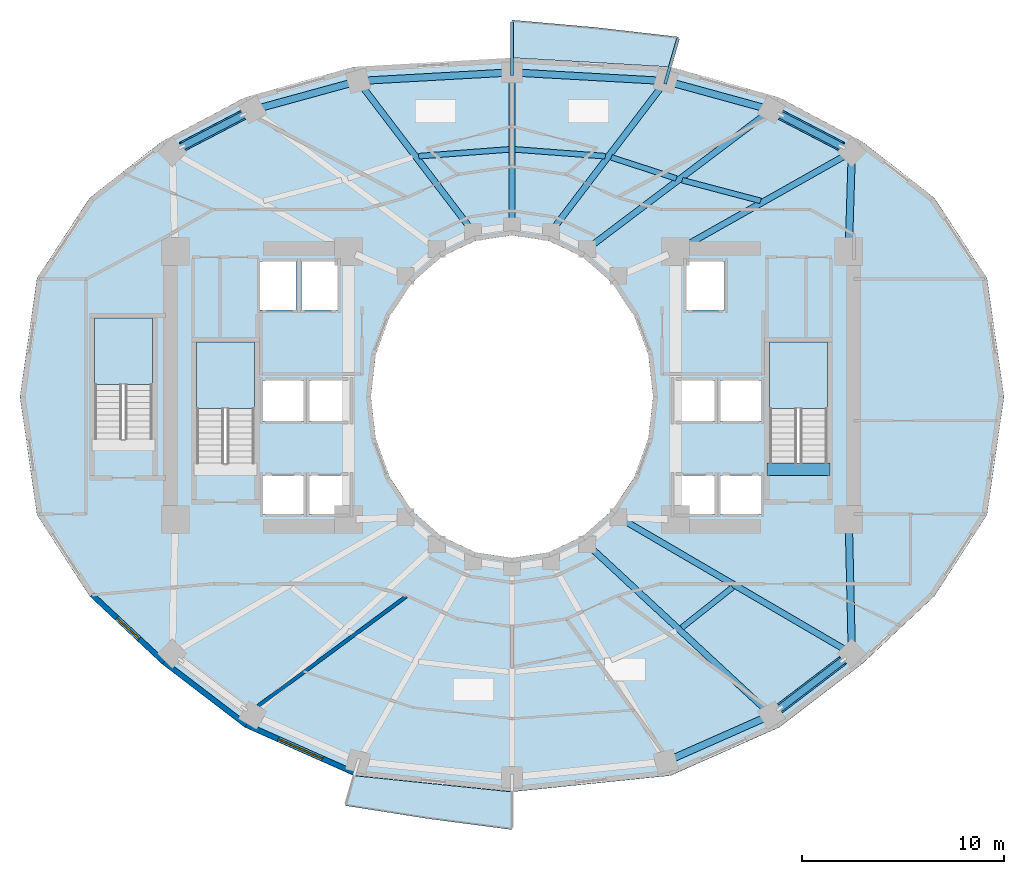
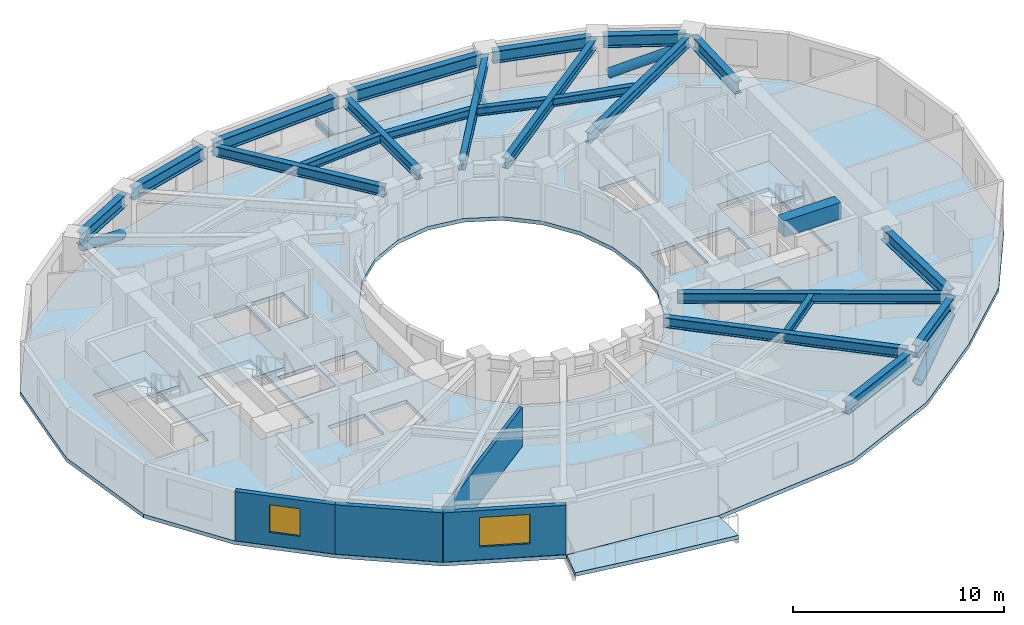
# One storey, part 2 of 9: 25 beams, 6 slabs, 4 walls, 3 members, 2 windows, 2 openings, 3 elements without a shape of their own.
"""IFC4 building model written with IfcOpenShell, lengths in metres."""

from ifc_helpers import new_model, si_unit, direction, frame, frame_2d, origin, origin_2d, place, context, subcontext, project, spatial, polyline, rectangle, hollow_rectangle, hollow_circle, i_section, outline, extrude, material, layer, layer_set, material_profile, profile_set, type_object, element, fill, aggregate, save


model = new_model("IFC4")

# Units and contexts
model_context = context("Model", 3, precision=1e-05, world=origin(), true_north=direction((0.0, 1.0)))
body_context = subcontext(model_context, "Body", "Model", "MODEL_VIEW")
ifc_project = project(units=[si_unit("LENGTHUNIT", "METRE"), si_unit("AREAUNIT", "SQUARE_METRE"), si_unit("VOLUMEUNIT", "CUBIC_METRE"), si_unit("PLANEANGLEUNIT", "RADIAN"), si_unit("MASSUNIT", "GRAM", prefix="KILO")], contexts=[model_context])

# Site, building, storey
site_placement = place(None, origin())
site = spatial("IfcSite", under=ifc_project, at=site_placement, CompositionType="ELEMENT")
building_placement = place(site_placement, origin())
building = spatial("IfcBuilding", under=site, at=building_placement, Name="Solvane Sanctuary Tower", CompositionType="ELEMENT")
storey_placement = place(building_placement, frame((0.0, 0.0, 98.0)))
storey = spatial("IfcBuildingStorey", under=building, at=storey_placement, Name="L29", CompositionType="ELEMENT", Elevation=98.0)

# Beams
ifc_material_1 = material(Name="Steel ASTM A500 Grade C", Category="steel")
ifc_material_profile_1 = material_profile(ifc_material_1, hollow_rectangle(XDim=0.14990234375, YDim=0.300048828125, WallThickness=0.010009765625, at=origin_2d()), Name="HSS300X150X10")
ifc_profile_set_1 = profile_set([ifc_material_profile_1], Name="Steel ASTM A500 Grade C")
beam_type_1 = type_object("IfcBeamType", Name="Beam B-BALC-BRK HSS300X150X10", PredefinedType="BEAM", material=ifc_profile_set_1)
beam_1_placement = place(storey_placement, frame((39.587890625, 38.508056640625, -0.3720703125), z_axis=(0.277479359198, 0.960731598949, 0.0), x_axis=(-0.960731598949, 0.277479359198, 0.0)))
element("IfcBeam", 1, at=beam_1_placement, inside=storey, type_object=beam_type_1, Name="L29 Balcony Bracket NC-1", PredefinedType="BEAM", context=body_context, shape_type="SweptSolid", body=[
    extrude(hollow_rectangle(XDim=0.14990234375, YDim=0.300048828125, WallThickness=0.010009765625, at=origin_2d()), origin(), (0.0, 0.0, 1.0), 2.325439453125),
])
beam_2_placement = place(storey_placement, frame((32.0, 38.929931640625, -0.3720703125), z_axis=(0.0, 1.0, 0.0), x_axis=(-1.0, 0.0, 0.0)))
element("IfcBeam", 2, at=beam_2_placement, inside=storey, type_object=beam_type_1, Name="L29 Balcony Bracket NC-2", PredefinedType="BEAM", context=body_context, shape_type="SweptSolid", body=[
    extrude(hollow_rectangle(XDim=0.14990234375, YDim=0.300048828125, WallThickness=0.010009765625, at=origin_2d()), origin(), (0.0, 0.0, 1.0), 2.64794921875),
])
ifc_material_2 = material(Name="Concrete C70/85", Category="concrete")
ifc_material_profile_2 = material_profile(ifc_material_2, rectangle(XDim=0.60009765625, YDim=0.949951171875, at=origin_2d()), Name="RC600X950")
ifc_profile_set_2 = profile_set([ifc_material_profile_2], Name="Concrete C70/85")
beam_type_2 = type_object("IfcBeamType", Name="Beam B-COUPLE RC600X950", PredefinedType="LINTEL", material=ifc_profile_set_2)
beam_3_placement = place(storey_placement, frame((44.64990234375, 19.399169921875, 2.625), z_axis=(1.0, 0.0, 0.0), x_axis=(0.0, 1.0, 0.0)))
element("IfcBeam", 3, at=beam_3_placement, inside=storey, type_object=beam_type_2, Name="L29 ST-2 Stair Floor Landing Trimmer", PredefinedType="LINTEL", context=body_context, shape_type="SweptSolid", body=[
    extrude(rectangle(XDim=0.60009765625, YDim=0.949951171875, at=origin_2d()), origin(), (0.0, 0.0, 1.0), 3.1201171875),
])
ifc_material_3 = material(Name="Steel ASTM A992 Grade 50", Category="steel")
ifc_material_profile_3 = material_profile(ifc_material_3, i_section(OverallWidth=0.31494140625, OverallDepth=0.575927734375, WebThickness=0.01513671875, FlangeThickness=0.0244140625, FilletRadius=0.014892578125, at=origin_2d()), Name="W21X122")
ifc_profile_set_3 = profile_set([ifc_material_profile_3], Name="Steel ASTM A992 Grade 50")
beam_type_3 = type_object("IfcBeamType", Name="Beam B-RAD-Z2 W21X122", PredefinedType="BEAM", material=ifc_profile_set_3)
beam_4_placement = place(storey_placement, frame((40.41357421875, 30.376953125, 2.590087890625), z_axis=(0.870960247151, 0.491353485673, 0.0), x_axis=(-0.491353485673, 0.870960247151, 0.0)))
element("IfcBeam", 4, at=beam_4_placement, inside=storey, type_object=beam_type_3, Name="L29 Radial Composite Floor Beam 01", PredefinedType="BEAM", context=body_context, shape_type="SweptSolid", body=[
    extrude(i_section(OverallWidth=0.31494140625, OverallDepth=0.575927734375, WebThickness=0.01513671875, FlangeThickness=0.0244140625, FilletRadius=0.014892578125, at=origin_2d()), origin(), (0.0, 0.0, 1.0), 9.409912109375),
])
beam_5_placement = place(storey_placement, frame((35.95361328125, 30.495361328125, 2.590087890625), z_axis=(0.798116040134, 0.602503764703, 0.0), x_axis=(-0.602503764703, 0.798116040134, 0.0)))
element("IfcBeam", 5, at=beam_5_placement, inside=storey, type_object=beam_type_3, Name="L29 Radial Composite Floor Beam 02", PredefinedType="BEAM", context=body_context, shape_type="SweptSolid", body=[
    extrude(i_section(OverallWidth=0.31494140625, OverallDepth=0.575927734375, WebThickness=0.01513671875, FlangeThickness=0.0244140625, FilletRadius=0.014892578125, at=origin_2d()), origin(), (0.0, 0.0, 1.0), 10.876953125),
])
beam_6_placement = place(storey_placement, frame((34.1005859375, 31.394287109375, 2.590087890625), z_axis=(0.605972515369, 0.795485581653, 0.0), x_axis=(-0.795485581653, 0.605972515369, 0.0)))
element("IfcBeam", 6, at=beam_6_placement, inside=storey, type_object=beam_type_3, Name="L29 Radial Composite Floor Beam 03", PredefinedType="BEAM", context=body_context, shape_type="SweptSolid", body=[
    extrude(i_section(OverallWidth=0.31494140625, OverallDepth=0.575927734375, WebThickness=0.01513671875, FlangeThickness=0.0244140625, FilletRadius=0.014892578125, at=origin_2d()), origin(), (0.0, 0.0, 1.0), 8.84375),
])
beam_7_placement = place(storey_placement, frame((32.0, 31.739990234375, 2.590087890625), z_axis=(0.0, 1.0, 0.0), x_axis=(-1.0, 0.0, 0.0)))
element("IfcBeam", 7, at=beam_7_placement, inside=storey, type_object=beam_type_3, Name="L29 Radial Composite Floor Beam 04", PredefinedType="BEAM", context=body_context, shape_type="SweptSolid", body=[
    extrude(i_section(OverallWidth=0.31494140625, OverallDepth=0.575927734375, WebThickness=0.01513671875, FlangeThickness=0.0244140625, FilletRadius=0.014892578125, at=origin_2d()), origin(), (0.0, 0.0, 1.0), 7.06005859375),
])
beam_8_placement = place(storey_placement, frame((29.8994140625, 31.394287109375, 2.590087890625), z_axis=(-0.605972515369, 0.795485581653, 0.0), x_axis=(-0.795485581653, -0.605972515369, 0.0)))
element("IfcBeam", 8, at=beam_8_placement, inside=storey, type_object=beam_type_3, Name="L29 Radial Composite Floor Beam 05", PredefinedType="BEAM", context=body_context, shape_type="SweptSolid", body=[
    extrude(i_section(OverallWidth=0.31494140625, OverallDepth=0.575927734375, WebThickness=0.01513671875, FlangeThickness=0.0244140625, FilletRadius=0.014892578125, at=origin_2d()), origin(), (0.0, 0.0, 1.0), 8.84375),
])
beam_9_placement = place(storey_placement, frame((35.935302734375, 15.483154296875, 2.590087890625), z_axis=(0.733453775248, -0.679739332078, 0.0), x_axis=(0.679739332078, 0.733453775248, 0.0)))
element("IfcBeam", 9, at=beam_9_placement, inside=storey, type_object=beam_type_3, Name="L29 Radial Composite Floor Beam 13", PredefinedType="BEAM", context=body_context, shape_type="SweptSolid", body=[
    extrude(i_section(OverallWidth=0.31494140625, OverallDepth=0.575927734375, WebThickness=0.01513671875, FlangeThickness=0.0244140625, FilletRadius=0.014892578125, at=origin_2d()), origin(), (0.0, 0.0, 1.0), 11.885498046875),
])
beam_10_placement = place(storey_placement, frame((37.516845703125, 16.876708984375, 2.590087890625), z_axis=(0.863554121542, -0.504256164234, 0.0), x_axis=(0.504256164234, 0.863554121542, 0.0)))
element("IfcBeam", 10, at=beam_10_placement, inside=storey, type_object=beam_type_3, Name="L29 Radial Composite Floor Beam 14", PredefinedType="BEAM", context=body_context, shape_type="SweptSolid", body=[
    extrude(i_section(OverallWidth=0.31494140625, OverallDepth=0.575927734375, WebThickness=0.01513671875, FlangeThickness=0.0244140625, FilletRadius=0.014892578125, at=origin_2d()), origin(), (0.0, 0.0, 1.0), 12.84716796875),
])
ifc_material_profile_4 = material_profile(ifc_material_3, i_section(OverallWidth=0.280029296875, OverallDepth=0.462890625, WebThickness=0.0107421875, FlangeThickness=0.017333984375, FilletRadius=0.013916015625, at=origin_2d()), Name="W18X76")
ifc_profile_set_4 = profile_set([ifc_material_profile_4], Name="Steel ASTM A992 Grade 50")
beam_type_4 = type_object("IfcBeamType", Name="Beam B-SEC-JOIST W18X76", PredefinedType="JOIST", material=ifc_profile_set_4)
for number, where, z_axis, x_axis, name in (
    (11, (27.3720703125, 34.92333984375, 2.646484375), (0.997207316227, 0.074683120339, 0.0), (-0.074683120339, 0.997207316227, 0.0), "L29 Secondary Circumferential Joist 05-04"),
    (12, (32.152099609375, 35.258544921875, 2.646484375), (0.997207316227, -0.074683120339, 0.0), (0.074683120339, 0.997207316227, 0.0), "L29 Secondary Circumferential Joist 04-03"),
):
    element("IfcBeam", number, at=place(storey_placement, frame(where, z_axis=z_axis, x_axis=x_axis)), inside=storey, type_object=beam_type_4, Name=name, PredefinedType="JOIST", context=body_context, shape_type="SweptSolid", body=[
        extrude(i_section(OverallWidth=0.280029296875, OverallDepth=0.462890625, WebThickness=0.0107421875, FlangeThickness=0.017333984375, FilletRadius=0.013916015625, at=origin_2d()), origin(), (0.0, 0.0, 1.0), 4.48828125),
    ])
beam_11_placement = place(storey_placement, frame((36.92529296875, 34.86474609375, 2.646484375), z_axis=(0.951216534175, -0.308524075416, 0.0), x_axis=(0.308524075416, 0.951216534175, 0.0)))
element("IfcBeam", 13, at=beam_11_placement, inside=storey, type_object=beam_type_4, Name="L29 Secondary Circumferential Joist 03-02", PredefinedType="JOIST", context=body_context, shape_type="SweptSolid", body=[
    extrude(i_section(OverallWidth=0.280029296875, OverallDepth=0.462890625, WebThickness=0.0107421875, FlangeThickness=0.017333984375, FilletRadius=0.013916015625, at=origin_2d()), origin(), (0.0, 0.0, 1.0), 3.38916015625),
])
beam_12_placement = place(storey_placement, frame((40.441650390625, 33.733154296875, 2.646484375), z_axis=(0.966943832831, -0.2549894589, 0.0), x_axis=(0.2549894589, 0.966943832831, 0.0)))
element("IfcBeam", 14, at=beam_12_placement, inside=storey, type_object=beam_type_4, Name="L29 Secondary Circumferential Joist 02-01", PredefinedType="JOIST", context=body_context, shape_type="SweptSolid", body=[
    extrude(i_section(OverallWidth=0.280029296875, OverallDepth=0.462890625, WebThickness=0.0107421875, FlangeThickness=0.017333984375, FilletRadius=0.013916015625, at=origin_2d()), origin(), (0.0, 0.0, 1.0), 4.020263671875),
])
beam_13_placement = place(storey_placement, frame((40.413818359375, 11.538330078125, 2.646484375), z_axis=(0.783877123324, 0.620915981055, 0.0), x_axis=(-0.620915981055, 0.783877123324, 0.0)))
element("IfcBeam", 15, at=beam_13_placement, inside=storey, type_object=beam_type_4, Name="L29 Secondary Circumferential Joist 13-14", PredefinedType="JOIST", context=body_context, shape_type="SweptSolid", body=[
    extrude(i_section(OverallWidth=0.280029296875, OverallDepth=0.462890625, WebThickness=0.0107421875, FlangeThickness=0.017333984375, FilletRadius=0.013916015625, at=origin_2d()), origin(), (0.0, 0.0, 1.0), 3.228515625),
])
ifc_material_profile_5 = material_profile(ifc_material_3, i_section(OverallWidth=0.35791015625, OverallDepth=0.7060546875, WebThickness=0.018310546875, FlangeThickness=0.0302734375, FilletRadius=0.01806640625, at=origin_2d()), Name="W27X178")
ifc_profile_set_5 = profile_set([ifc_material_profile_5], Name="Steel ASTM A992 Grade 50")
beam_type_5 = type_object("IfcBeamType", Name="Beam B-SPAND-Z2 W27X178", PredefinedType="SPANDREL", material=ifc_profile_set_5)
beam_14_placement = place(storey_placement, frame((15.3955078125, 35.267333984375, 2.52490234375), z_axis=(0.887014995188, 0.461740618002, 0.0), x_axis=(-0.461740618002, 0.887014995188, 0.0)))
element("IfcBeam", 16, at=beam_14_placement, inside=storey, type_object=beam_type_5, Name="L29 Perimeter Spandrel Beam TC07-TC06", PredefinedType="SPANDREL", context=body_context, shape_type="SweptSolid", body=[
    extrude(i_section(OverallWidth=0.35791015625, OverallDepth=0.7060546875, WebThickness=0.018310546875, FlangeThickness=0.0302734375, FilletRadius=0.01806640625, at=origin_2d()), origin(), (0.0, 0.0, 1.0), 3.943359375),
])
beam_15_placement = place(storey_placement, frame((19.41162109375, 37.29150390625, 2.52490234375), z_axis=(0.964367605241, 0.26456591232, 0.0), x_axis=(-0.26456591232, 0.964367605241, 0.0)))
element("IfcBeam", 17, at=beam_15_placement, inside=storey, type_object=beam_type_5, Name="L29 Perimeter Spandrel Beam TC06-TC05", PredefinedType="SPANDREL", context=body_context, shape_type="SweptSolid", body=[
    extrude(i_section(OverallWidth=0.35791015625, OverallDepth=0.7060546875, WebThickness=0.018310546875, FlangeThickness=0.0302734375, FilletRadius=0.01806640625, at=origin_2d()), origin(), (0.0, 0.0, 1.0), 4.8623046875),
])
for number, where, z_axis, x_axis, name in (
    (18, (24.650146484375, 38.667724609375, 2.52490234375), (0.998431364179, 0.055989383129, 0.0), (-0.055989383129, 0.998431364179, 0.0), "L29 Perimeter Spandrel Beam TC05-TC04"),
    (19, (32.279541015625, 39.064208984375, 2.52490234375), (0.998431364179, -0.055989383129, 0.0), (0.055989383129, 0.998431364179, 0.0), "L29 Perimeter Spandrel Beam TC04-TC03"),
):
    element("IfcBeam", number, at=place(storey_placement, frame(where, z_axis=z_axis, x_axis=x_axis)), inside=storey, type_object=beam_type_5, Name=name, PredefinedType="SPANDREL", context=body_context, shape_type="SweptSolid", body=[
        extrude(i_section(OverallWidth=0.35791015625, OverallDepth=0.7060546875, WebThickness=0.018310546875, FlangeThickness=0.0302734375, FilletRadius=0.01806640625, at=origin_2d()), origin(), (0.0, 0.0, 1.0), 7.081298828125),
    ])
beam_16_placement = place(storey_placement, frame((39.8994140625, 38.577880859375, 2.52490234375), z_axis=(0.964367605241, -0.26456591232, 0.0), x_axis=(0.26456591232, 0.964367605241, 0.0)))
element("IfcBeam", 20, at=beam_16_placement, inside=storey, type_object=beam_type_5, Name="L29 Perimeter Spandrel Beam TC03-TC02", PredefinedType="SPANDREL", context=body_context, shape_type="SweptSolid", body=[
    extrude(i_section(OverallWidth=0.35791015625, OverallDepth=0.7060546875, WebThickness=0.018310546875, FlangeThickness=0.0302734375, FilletRadius=0.01806640625, at=origin_2d()), origin(), (0.0, 0.0, 1.0), 4.8623046875),
])
beam_17_placement = place(storey_placement, frame((45.106689453125, 37.088134765625, 2.52490234375), z_axis=(0.887014995188, -0.461740618002, 0.0), x_axis=(0.461740618002, 0.887014995188, 0.0)))
element("IfcBeam", 21, at=beam_17_placement, inside=storey, type_object=beam_type_5, Name="L29 Perimeter Spandrel Beam TC02-TC01", PredefinedType="SPANDREL", context=body_context, shape_type="SweptSolid", body=[
    extrude(i_section(OverallWidth=0.35791015625, OverallDepth=0.7060546875, WebThickness=0.018310546875, FlangeThickness=0.0302734375, FilletRadius=0.01806640625, at=origin_2d()), origin(), (0.0, 0.0, 1.0), 3.943359375),
])
beam_18_placement = place(storey_placement, frame((48.84423828125, 34.858154296875, 2.52490234375), z_axis=(-0.03093371985, -0.999521437977, 0.0), x_axis=(0.999521437977, -0.03093371985, 0.0)))
element("IfcBeam", 22, at=beam_18_placement, inside=storey, type_object=beam_type_5, Name="L29 Perimeter Spandrel Beam TC01-CE3", PredefinedType="SPANDREL", context=body_context, shape_type="SweptSolid", body=[
    extrude(i_section(OverallWidth=0.35791015625, OverallDepth=0.7060546875, WebThickness=0.018310546875, FlangeThickness=0.0302734375, FilletRadius=0.01806640625, at=origin_2d()), origin(), (0.0, 0.0, 1.0), 4.38037109375),
])
beam_19_placement = place(storey_placement, frame((39.885498046875, 5.01318359375, 2.52490234375), z_axis=(0.914454505181, 0.404688717355, 0.0), x_axis=(-0.404688717355, 0.914454505181, 0.0)))
element("IfcBeam", 23, at=beam_19_placement, inside=storey, type_object=beam_type_5, Name="L29 Perimeter Spandrel Beam TC12-TC13", PredefinedType="SPANDREL", context=body_context, shape_type="SweptSolid", body=[
    extrude(i_section(OverallWidth=0.35791015625, OverallDepth=0.7060546875, WebThickness=0.018310546875, FlangeThickness=0.0302734375, FilletRadius=0.01806640625, at=origin_2d()), origin(), (0.0, 0.0, 1.0), 5.157958984375),
])
beam_20_placement = place(storey_placement, frame((45.0810546875, 7.383544921875, 2.52490234375), z_axis=(0.795473167932, 0.605988811036, 0.0), x_axis=(-0.605988811036, 0.795473167932, 0.0)))
element("IfcBeam", 24, at=beam_20_placement, inside=storey, type_object=beam_type_5, Name="L29 Perimeter Spandrel Beam TC13-TC14", PredefinedType="SPANDREL", context=body_context, shape_type="SweptSolid", body=[
    extrude(i_section(OverallWidth=0.35791015625, OverallDepth=0.7060546875, WebThickness=0.018310546875, FlangeThickness=0.0302734375, FilletRadius=0.01806640625, at=origin_2d()), origin(), (0.0, 0.0, 1.0), 4.4619140625),
])
beam_21_placement = place(storey_placement, frame((48.8466796875, 10.537109375, 2.52490234375), z_axis=(-0.023071397754, 0.999733819877, 0.0), x_axis=(-0.999733819877, -0.023071397754, 0.0)))
element("IfcBeam", 25, at=beam_21_placement, inside=storey, type_object=beam_type_5, Name="L29 Perimeter Spandrel Beam TC14-CE2", PredefinedType="SPANDREL", context=body_context, shape_type="SweptSolid", body=[
    extrude(i_section(OverallWidth=0.35791015625, OverallDepth=0.7060546875, WebThickness=0.018310546875, FlangeThickness=0.0302734375, FilletRadius=0.01806640625, at=origin_2d()), origin(), (0.0, 0.0, 1.0), 6.084716796875),
])

# Members
ifc_material_profile_6 = material_profile(ifc_material_3, hollow_circle(Radius=0.25390625, WallThickness=0.01611328125, at=origin_2d()), Name="CHS508X16")
ifc_profile_set_6 = profile_set([ifc_material_profile_6], Name="Steel ASTM A992 Grade 50")
member_type = type_object("IfcMemberType", Name="Member M-TUBE-Z2 CHS508X16", PredefinedType="BRACE", material=ifc_profile_set_6)
for number, where, z_axis, x_axis, name in (
    (26, (45.332763671875, 36.970703125, 0.5927734375), (0.824140553465, -0.429072126665, 0.369715374651), (0.461792399626, 0.886988038052, 0.0), "L29 Perimeter Braced-Tube Diagonal NE"),
    (27, (18.667236328125, 36.970703125, 0.5927734375), (-0.824140553465, -0.429072126665, 0.369715374651), (0.461792399626, -0.886988038052, 0.0), "L29 Perimeter Braced-Tube Diagonal NW"),
):
    element("IfcMember", number, at=place(storey_placement, frame(where, z_axis=z_axis, x_axis=x_axis)), inside=storey, type_object=member_type, Name=name, PredefinedType="BRACE", context=body_context, shape_type="SweptSolid", body=[
        extrude(hollow_circle(Radius=0.25390625, WallThickness=0.01611328125, at=origin_2d()), origin(), (0.0, 0.0, 1.0), 3.6689453125),
    ])
member_placement = place(storey_placement, frame((45.286865234375, 7.540283203125, 0.572265625), z_axis=(0.749184797481, 0.570779701738, 0.336054565967), x_axis=(-0.606024564443, 0.795445929836, 0.0)))
element("IfcMember", 28, at=member_placement, inside=storey, type_object=member_type, Name="L29 Perimeter Braced-Tube Diagonal SE", PredefinedType="BRACE", context=body_context, shape_type="SweptSolid", body=[
    extrude(hollow_circle(Radius=0.25390625, WallThickness=0.01611328125, at=origin_2d()), origin(), (0.0, 0.0, 1.0), 4.1875),
])

# Slabs
ifc_material_4 = material(Name="Precast concrete C40/50", Category="concrete")
ifc_layer_1 = layer(ifc_material_4, 0.219970703125, Name="Precast concrete C40/50")
ifc_layer_set_1 = layer_set([ifc_layer_1], Name="Precast concrete C40/50")
slab_type_1 = type_object("IfcSlabType", Name="Slab SL-BALC-200", PredefinedType="FLOOR", material=ifc_layer_set_1)
slab_1_placement = place(storey_placement, frame((0.0, 0.0, -0.219970703125)))
element("IfcSlab", 29, at=slab_1_placement, inside=storey, type_object=slab_type_1, Name="L29 Wave Balcony Slab NC", PredefinedType="FLOOR", context=body_context, shape_type="SweptSolid", body=[
    extrude(outline(polyline([(40.260986328125, 40.83837890625), (36.1591796875, 41.309814453125), (32.0, 41.677978515625), (32.000244140625, 39.803955078125), (39.861572265625, 39.351318359375), (40.260986328125, 40.83837890625)])), origin(), (0.0, 0.0, 1.0), 0.219970703125),
])
slab_2_placement = place(storey_placement, frame((0.0, 0.0, -0.219970703125)))
element("IfcSlab", 30, at=slab_2_placement, inside=storey, type_object=slab_type_1, Name="L29 Wave Balcony Slab SC", PredefinedType="FLOOR", context=body_context, shape_type="SweptSolid", body=[
    extrude(outline(polyline([(23.739013671875, 2.7138671875), (27.8408203125, 2.06640625), (32.0, 1.52197265625), (31.99951171875, 3.39599609375), (24.13818359375, 4.20068359375), (23.739013671875, 2.7138671875)])), origin(), (0.0, 0.0, 1.0), 0.219970703125),
])

# Stair, slab
ifc_material_5 = material(Name="Concrete C45/55", Category="concrete")
stair_type = type_object("IfcStairType", Name="Stair ST-TOW", PredefinedType="HALF_TURN_STAIR", material=ifc_material_5)
stair_1_placement = place(storey_placement, origin())
stair_1 = element("IfcStair", 31, at=stair_1_placement, inside=storey, type_object=stair_type, Name="L29 Exit Stair ST-1 West Core", PredefinedType="HALF_TURN_STAIR")
ifc_layer_2 = layer(ifc_material_5, 0.199951171875, Name="Concrete C45/55")
ifc_layer_set_2 = layer_set([ifc_layer_2], Name="Concrete C45/55")
slab_type_2 = type_object("IfcSlabType", Name="Slab SL-LAND-180", PredefinedType="LANDING", material=ifc_layer_set_2)
slab_3_placement = place(storey_placement, frame((0.0, 0.0, 1.35009765625)))
slab_3 = element("IfcSlab", 32, at=slab_3_placement, type_object=slab_type_2, Name="ST-1 landing 1", PredefinedType="LANDING", context=body_context, shape_type="SweptSolid", body=[
    extrude(outline(polyline([(19.219970703125, 22.39990234375), (19.219970703125, 25.699951171875), (16.360107421875, 25.699951171875), (16.360107421875, 22.39990234375), (19.219970703125, 22.39990234375)])), origin(), (0.0, 0.0, 1.0), 0.199951171875),
])
aggregate(stair_1, [slab_3])

stair_2_placement = place(storey_placement, origin())
stair_2 = element("IfcStair", 33, at=stair_2_placement, inside=storey, type_object=stair_type, Name="L29 Exit Stair ST-2 East Core", PredefinedType="HALF_TURN_STAIR")
slab_4_placement = place(storey_placement, frame((0.0, 0.0, 1.35009765625)))
slab_4 = element("IfcSlab", 34, at=slab_4_placement, type_object=slab_type_2, Name="ST-2 landing 1", PredefinedType="LANDING", context=body_context, shape_type="SweptSolid", body=[
    extrude(outline(polyline([(47.639892578125, 22.39990234375), (47.639892578125, 25.699951171875), (44.780029296875, 25.699951171875), (44.780029296875, 22.39990234375), (47.639892578125, 22.39990234375)])), origin(), (0.0, 0.0, 1.0), 0.199951171875),
])
aggregate(stair_2, [slab_4])

stair_3_placement = place(storey_placement, origin())
stair_3 = element("IfcStair", 35, at=stair_3_placement, inside=storey, type_object=stair_type, Name="L29 Exit Stair ST-3 Pilgrim Tower Stair", PredefinedType="HALF_TURN_STAIR")
slab_5_placement = place(storey_placement, frame((0.0, 0.0, 1.35009765625)))
slab_5 = element("IfcSlab", 36, at=slab_5_placement, type_object=slab_type_2, Name="ST-3 landing 1", PredefinedType="LANDING", context=body_context, shape_type="SweptSolid", body=[
    extrude(outline(polyline([(14.159912109375, 23.60009765625), (14.159912109375, 26.89990234375), (11.300048828125, 26.89990234375), (11.300048828125, 23.60009765625), (14.159912109375, 23.60009765625)])), origin(), (0.0, 0.0, 1.0), 0.199951171875),
])
aggregate(stair_3, [slab_5])

# Slab
ifc_layer_3 = layer(ifc_material_5, 0.219970703125, Name="Concrete C45/55")
ifc_layer_set_3 = layer_set([ifc_layer_3], Name="Concrete C45/55")
slab_type_3 = type_object("IfcSlabType", Name="Slab SL-TOW-220", PredefinedType="FLOOR", material=ifc_layer_set_3)
slab_6_placement = place(storey_placement, frame((0.0, 0.0, -0.219970703125)))
element("IfcSlab", 37, at=slab_6_placement, inside=storey, type_object=slab_type_3, Name="L29 Primary Structural Slab", PredefinedType="FLOOR", context=body_context, shape_type="SweptSolid", body=[
    extrude(outline(polyline([(56.39990234375, 23.0), (55.556884765625, 28.86376953125), (52.94091796875, 32.8623046875), (49.365478515625, 35.650390625), (45.249267578125, 37.83544921875), (39.861328125, 39.347412109375), (32.0, 39.800048828125), (24.138671875, 39.347412109375), (18.750732421875, 37.83544921875), (14.634521484375, 35.650390625), (11.05908203125, 32.8623046875), (8.443115234375, 28.86376953125), (7.60009765625, 23.0), (8.443115234375, 17.13623046875), (11.05908203125, 13.096923828125), (14.634521484375, 9.744873046875), (18.750732421875, 6.595703125), (24.138671875, 4.204833984375), (32.0, 3.39990234375), (39.861328125, 4.204833984375), (45.249267578125, 6.595703125), (49.365478515625, 9.744873046875), (52.94091796875, 13.096923828125), (55.556884765625, 17.13623046875), (56.39990234375, 23.0)]), holes=[polyline([(38.761474609375, 20.929443359375), (38.062255859375, 19.0), (36.94970703125, 17.343017578125), (35.5, 16.07177734375), (33.811767578125, 15.272705078125), (32.0, 15.0), (30.188232421875, 15.272705078125), (28.5, 16.07177734375), (27.05029296875, 17.343017578125), (25.937744140625, 19.0), (25.238525390625, 20.929443359375), (25.0, 23.0), (25.238525390625, 25.070556640625), (25.937744140625, 27.0), (27.05029296875, 28.656982421875), (28.5, 29.92822265625), (30.188232421875, 30.727294921875), (32.0, 31.0), (33.811767578125, 30.727294921875), (35.5, 29.92822265625), (36.94970703125, 28.656982421875), (38.062255859375, 27.0), (38.761474609375, 25.070556640625), (39.0, 23.0), (38.761474609375, 20.929443359375)]), polyline([(16.360107421875, 19.699951171875), (16.360107421875, 25.699951171875), (19.219970703125, 25.699951171875), (19.219970703125, 19.699951171875), (16.360107421875, 19.699951171875)]), polyline([(44.780029296875, 19.699951171875), (44.780029296875, 25.699951171875), (47.639892578125, 25.699951171875), (47.639892578125, 19.699951171875), (44.780029296875, 19.699951171875)]), polyline([(11.300048828125, 20.89990234375), (11.300048828125, 26.89990234375), (14.159912109375, 26.89990234375), (14.159912109375, 20.89990234375), (11.300048828125, 20.89990234375)]), polyline([(19.64990234375, 19.080078125), (21.64990234375, 19.080078125), (21.64990234375, 17.179931640625), (19.64990234375, 17.179931640625), (19.64990234375, 19.080078125)]), polyline([(21.949951171875, 19.080078125), (23.949951171875, 19.080078125), (23.949951171875, 17.179931640625), (21.949951171875, 17.179931640625), (21.949951171875, 19.080078125)]), polyline([(40.050048828125, 19.080078125), (42.050048828125, 19.080078125), (42.050048828125, 17.179931640625), (40.050048828125, 17.179931640625), (40.050048828125, 19.080078125)]), polyline([(42.35009765625, 19.080078125), (44.35009765625, 19.080078125), (44.35009765625, 17.179931640625), (42.35009765625, 17.179931640625), (42.35009765625, 19.080078125)]), polyline([(19.64990234375, 23.800048828125), (21.64990234375, 23.800048828125), (21.64990234375, 21.800048828125), (19.64990234375, 21.800048828125), (19.64990234375, 23.800048828125)]), polyline([(42.35009765625, 23.800048828125), (44.35009765625, 23.800048828125), (44.35009765625, 21.800048828125), (42.35009765625, 21.800048828125), (42.35009765625, 23.800048828125)]), polyline([(21.949951171875, 23.800048828125), (23.949951171875, 23.800048828125), (23.949951171875, 21.800048828125), (21.949951171875, 21.800048828125), (21.949951171875, 23.800048828125)]), polyline([(40.050048828125, 23.800048828125), (42.050048828125, 23.800048828125), (42.050048828125, 21.800048828125), (40.050048828125, 21.800048828125), (40.050048828125, 23.800048828125)]), polyline([(19.5, 29.699951171875), (21.300048828125, 29.699951171875), (21.300048828125, 27.300048828125), (19.5, 27.300048828125), (19.5, 29.699951171875)]), polyline([(21.550048828125, 29.699951171875), (23.35009765625, 29.699951171875), (23.35009765625, 27.300048828125), (21.550048828125, 27.300048828125), (21.550048828125, 29.699951171875)]), polyline([(40.64990234375, 29.699951171875), (42.550048828125, 29.699951171875), (42.550048828125, 27.300048828125), (40.64990234375, 27.300048828125), (40.64990234375, 29.699951171875)])]), origin(), (0.0, 0.0, 1.0), 0.219970703125),
])

# Wall, opening, window
ifc_layer_4 = layer(ifc_material_4, 0.260009765625, Name="Precast concrete C40/50")
ifc_layer_set_4 = layer_set([ifc_layer_4], Name="Precast concrete C40/50")
wall_type_1 = type_object("IfcWallType", Name="Wall W-EXT-250", PredefinedType="STANDARD", material=ifc_layer_set_4)
wall_1_placement = place(storey_placement, frame((11.179443359375, 13.173095703125, 0.0), z_axis=(0.0, 0.0, 1.0), x_axis=(0.730162452258, -0.68327358599, 0.0)))
wall_1 = element("IfcWall", 38, at=wall_1_placement, inside=storey, type_object=wall_type_1, Name="L29 Ceramic-Printed Facade Wall 14", PredefinedType="STANDARD", context=body_context, shape_type="SweptSolid", body=[
    extrude(rectangle(XDim=4.868408203125, YDim=0.260009765625, at=frame_2d((2.43408203125, 0.0))), origin(), (0.0, 0.0, 1.0), 2.85009765625),
])
opening_1_placement = place(wall_1_placement, frame((1.68408203125, 0.0, 0.75)))
opening_1 = element("IfcOpeningElement", 39, at=opening_1_placement, cuts=wall_1, Name="Opening WN-OPER-1500", PredefinedType="OPENING", context=body_context, shape_type="SweptSolid", body=[
    extrude(rectangle(XDim=1.5, YDim=1.60009765625, at=frame_2d((0.75, 0.800048828125))), frame((0.0, 0.139892578125, 0.0), z_axis=(0.0, -1.0, 0.0), x_axis=(1.0, 0.0, 0.0)), (0.0, 0.0, 1.0), 0.280029296875),
])
ifc_material_6 = material(Name="Dark Ceramic-Fritted Low-E Glass", Category="glass")
window_type_1 = type_object("IfcWindowType", Name="Window WN-OPER-1500", PartitioningType="SINGLE_PANEL", PredefinedType="WINDOW", material=ifc_material_6)
window_1_placement = place(opening_1_placement, origin())
window_1 = element("IfcWindow", 40, at=window_1_placement, inside=storey, type_object=window_type_1, Name="L29 Operable Facade Window 14", OverallHeight=1.60009765625, OverallWidth=1.5, PartitioningType="SINGLE_PANEL", PredefinedType="WINDOW", context=body_context, shape_type="SweptSolid", body=[
    extrude(rectangle(XDim=1.5, YDim=1.60009765625, at=frame_2d((0.75, 0.800048828125))), frame((0.0, 0.030029296875, 0.0), z_axis=(0.0, -1.0, 0.0), x_axis=(1.0, 0.0, 0.0)), (0.0, 0.0, 1.0), 0.06005859375),
])
fill(opening_1, window_1)

# Wall
wall_2_placement = place(storey_placement, frame((14.734130859375, 9.8466796875, 0.0), z_axis=(0.0, 0.0, 1.0), x_axis=(0.794809810864, -0.606858603427, 0.0)))
element("IfcWall", 41, at=wall_2_placement, inside=storey, type_object=wall_type_1, Name="L29 Ceramic-Printed Facade Wall 15", PredefinedType="STANDARD", context=body_context, shape_type="SweptSolid", body=[
    extrude(rectangle(XDim=5.149169921875, YDim=0.260009765625, at=frame_2d((2.57470703125, 0.0))), origin(), (0.0, 0.0, 1.0), 2.85009765625),
])

# Wall, opening, window
wall_3_placement = place(storey_placement, frame((18.82666015625, 6.721923828125, 0.0), z_axis=(0.0, 0.0, 1.0), x_axis=(0.914336605747, -0.404955023911, 0.0)))
wall_3 = element("IfcWall", 42, at=wall_3_placement, inside=storey, type_object=wall_type_1, Name="L29 Ceramic-Printed Facade Wall 16", PredefinedType="STANDARD", context=body_context, shape_type="SweptSolid", body=[
    extrude(rectangle(XDim=5.85888671875, YDim=0.260009765625, at=frame_2d((2.929443359375, 0.0))), origin(), (0.0, 0.0, 1.0), 2.85009765625),
])
opening_2_placement = place(wall_3_placement, frame((1.7294921875, 0.0, 0.75)))
opening_2 = element("IfcOpeningElement", 43, at=opening_2_placement, cuts=wall_3, Name="Opening WN-RIB-2400", PredefinedType="OPENING", context=body_context, shape_type="SweptSolid", body=[
    extrude(rectangle(XDim=2.39990234375, YDim=1.699951171875, at=frame_2d((1.199951171875, 0.85009765625))), frame((0.0, 0.139892578125, 0.0), z_axis=(0.0, -1.0, 0.0), x_axis=(1.0, 0.0, 0.0)), (0.0, 0.0, 1.0), 0.280029296875),
])
window_type_2 = type_object("IfcWindowType", Name="Window WN-RIB-2400", PartitioningType="SINGLE_PANEL", PredefinedType="WINDOW", material=ifc_material_6)
window_2_placement = place(opening_2_placement, origin())
window_2 = element("IfcWindow", 44, at=window_2_placement, inside=storey, type_object=window_type_2, Name="L29 Operable Facade Window 16", OverallHeight=1.699951171875, OverallWidth=2.39990234375, PartitioningType="SINGLE_PANEL", PredefinedType="WINDOW", context=body_context, shape_type="SweptSolid", body=[
    extrude(rectangle(XDim=2.39990234375, YDim=1.699951171875, at=frame_2d((1.199951171875, 0.85009765625))), frame((0.0, 0.030029296875, 0.0), z_axis=(0.0, -1.0, 0.0), x_axis=(1.0, 0.0, 0.0)), (0.0, 0.0, 1.0), 0.06005859375),
])
fill(opening_2, window_2)

# Wall
ifc_material_7 = material(Name="Acoustic Gypsum Partition Board")
ifc_layer_5 = layer(ifc_material_7, 0.179931640625, Name="Acoustic Gypsum Partition Board")
ifc_layer_set_5 = layer_set([ifc_layer_5], Name="Acoustic Gypsum Partition Board")
wall_type_2 = type_object("IfcWallType", Name="Wall W-UNIT-180", PredefinedType="PARTITIONING", material=ifc_layer_set_5)
wall_4_placement = place(storey_placement, frame((26.750732421875, 13.0859375, 0.0), z_axis=(0.0, 0.0, 1.0), x_axis=(-0.80430981394, -0.594210167533, 0.0)))
element("IfcWall", 45, at=wall_4_placement, inside=storey, type_object=wall_type_2, Name="L29 Radial Compartment Wall 240", PredefinedType="PARTITIONING", context=body_context, shape_type="SweptSolid", body=[
    extrude(rectangle(XDim=9.146240234375, YDim=0.179931640625, at=frame_2d((4.5732421875, 0.0))), origin(), (0.0, 0.0, 1.0), 2.27197265625),
])

save(model, "model.ifc")
